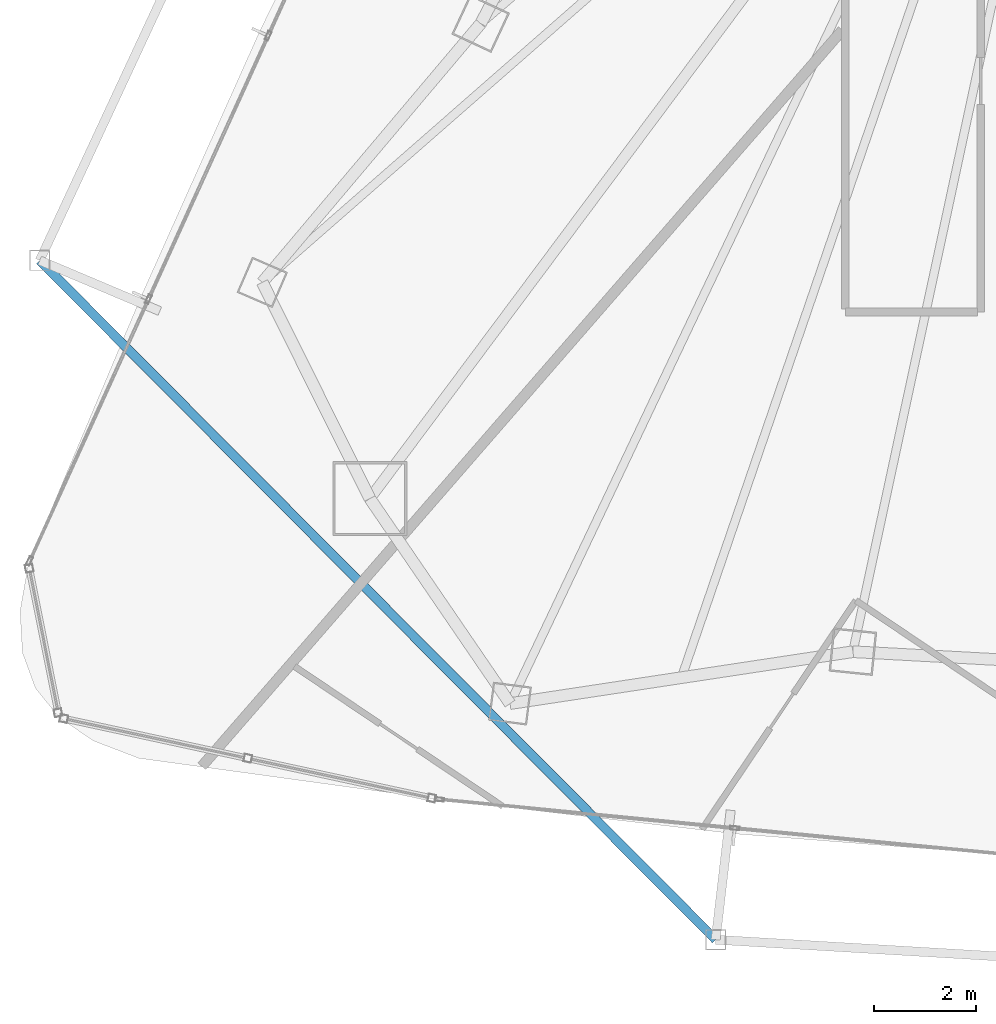
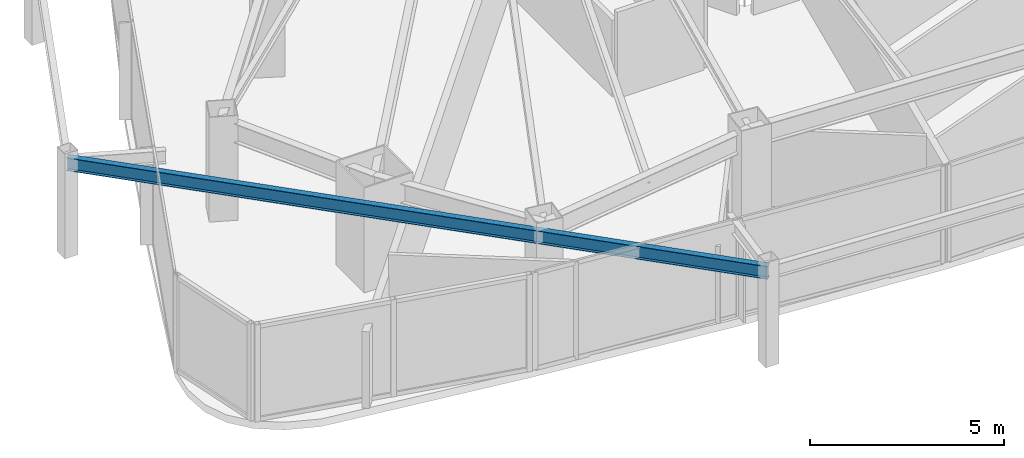
# One storey, part 3 of 30: 1 beam.
"""IFC4 building model written with IfcOpenShell, lengths in metres."""

from ifc_helpers import new_model, si_unit, direction, frame, origin, origin_2d, place, context, subcontext, project, spatial, i_section, extrude, material, material_profile, profile_set, type_object, element, save


model = new_model("IFC4")

# Units and contexts
model_context = context("Model", 3, precision=1e-05, world=origin(), true_north=direction((0.0, 1.0)))
body_context = subcontext(model_context, "Body", "Model", "MODEL_VIEW")
ifc_project = project(units=[si_unit("LENGTHUNIT", "METRE"), si_unit("AREAUNIT", "SQUARE_METRE"), si_unit("VOLUMEUNIT", "CUBIC_METRE"), si_unit("PLANEANGLEUNIT", "RADIAN"), si_unit("MASSUNIT", "GRAM", prefix="KILO")], contexts=[model_context])

# Site, building, storey
site_placement = place(None, origin())
site = spatial("IfcSite", under=ifc_project, at=site_placement, CompositionType="ELEMENT")
building_placement = place(site_placement, origin())
building = spatial("IfcBuilding", under=site, at=building_placement, Name="Orvanel Arch Residences", CompositionType="ELEMENT")
storey_placement = place(building_placement, frame((0.0, 0.0, 139.699951171875)))
storey = spatial("IfcBuildingStorey", under=building, at=storey_placement, Name="L39", CompositionType="ELEMENT", Elevation=139.699951171875)

# Beam
ifc_material = material(Name="Structural steel AS/NZS 3679.1 Grade 300 (300 MPa)", Category="steel")
ifc_material_profile = material_profile(ifc_material, i_section(OverallWidth=0.177978515625, OverallDepth=0.406005859375, WebThickness=0.0078125, FlangeThickness=0.0126953125, at=origin_2d()), Name="410UB59.7")
ifc_profile_set = profile_set([ifc_material_profile], Name="Structural steel AS/NZS 3679.1 Grade 300 (300 MPa)")
beam_type = type_object("IfcBeamType", Name="OB-410UB-EXT", PredefinedType="SPANDREL", material=ifc_profile_set)
beam_placement = place(storey_placement, frame((7.740966796875, 15.009033203125, 2.85693359375), z_axis=(0.705346503613, -0.708862687579, 0.0), x_axis=(0.708862687579, 0.705346503613, 0.0)))
element("IfcBeam", 1, at=beam_placement, inside=storey, type_object=beam_type, Name="L39 Outer Perimeter Floor Ring Beam 04", PredefinedType="SPANDREL", context=body_context, shape_type="SweptSolid", body=[
    extrude(i_section(OverallWidth=0.177978515625, OverallDepth=0.406005859375, WebThickness=0.0078125, FlangeThickness=0.0126953125, at=origin_2d()), origin(), (0.0, 0.0, 1.0), 18.7470703125),
])

save(model, "model.ifc")
